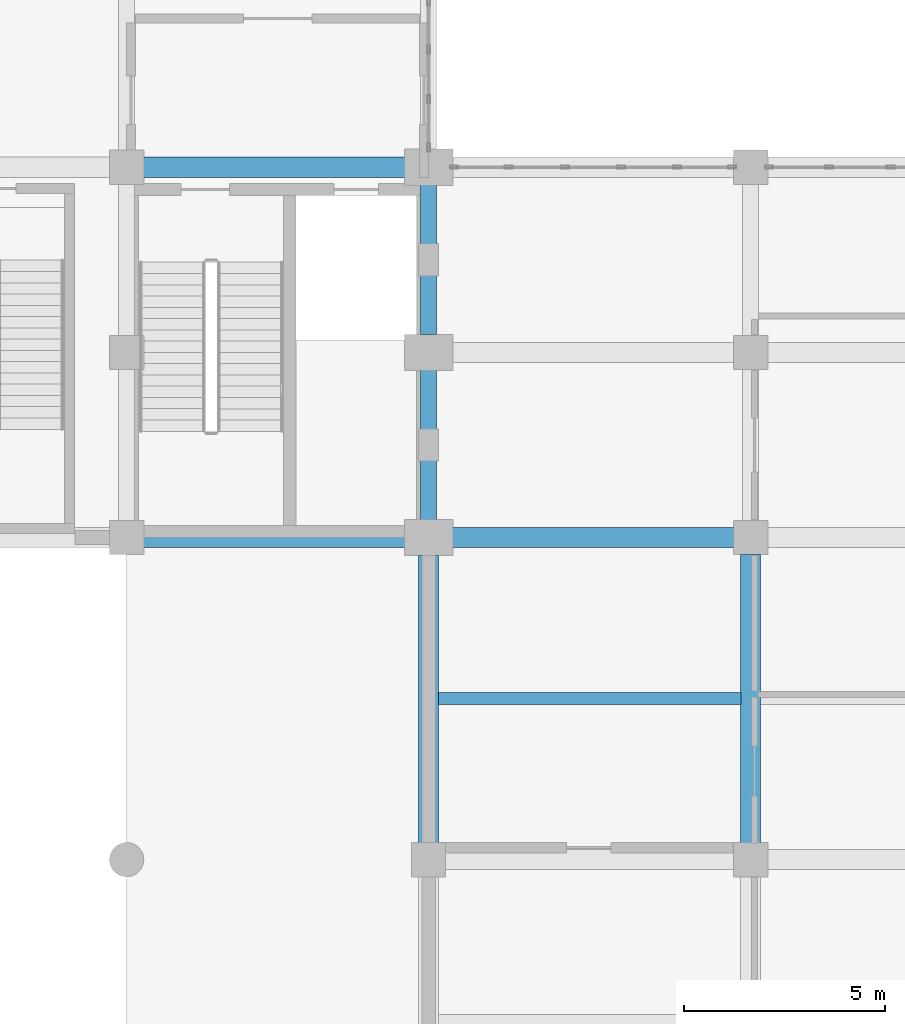
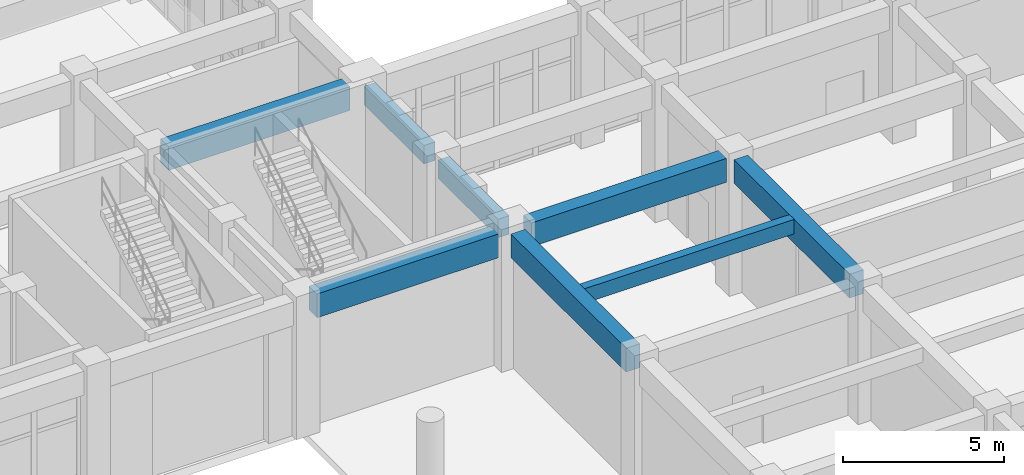
# One storey, part 31 of 84: 8 beams.
"""IFC4 building model written with IfcOpenShell, lengths in metres."""

from ifc_helpers import new_model, si_unit, direction, frame, origin, origin_2d, place, context, subcontext, project, spatial, rectangle, extrude, material, material_profile, profile_set, type_object, element, save


model = new_model("IFC4")

# Units and contexts
model_context = context("Model", 3, precision=1e-05, world=origin(), true_north=direction((0.0, 1.0)))
body_context = subcontext(model_context, "Body", "Model", "MODEL_VIEW")
ifc_project = project(units=[si_unit("LENGTHUNIT", "METRE"), si_unit("AREAUNIT", "SQUARE_METRE"), si_unit("VOLUMEUNIT", "CUBIC_METRE"), si_unit("PLANEANGLEUNIT", "RADIAN"), si_unit("MASSUNIT", "GRAM", prefix="KILO")], contexts=[model_context])

# Site, building, storey
site_placement = place(None, origin())
site = spatial("IfcSite", under=ifc_project, at=site_placement, CompositionType="ELEMENT")
building_placement = place(site_placement, origin())
building = spatial("IfcBuilding", under=site, at=building_placement, Name="Muzn Square Opera House", CompositionType="ELEMENT")
storey_placement = place(building_placement, origin())
storey = spatial("IfcBuildingStorey", under=building, at=storey_placement, Name="L00", CompositionType="ELEMENT", Elevation=0.0)

# Beams
ifc_material = material(Name="Concrete C40/50", Category="concrete")
ifc_material_profile_1 = material_profile(ifc_material, rectangle(XDim=0.300048828125, YDim=0.550048828125, at=origin_2d()), Name="RCJ 300x550", Category="concrete")
ifc_profile_set_1 = profile_set([ifc_material_profile_1], Name="Concrete C40/50")
beam_type_1 = type_object("IfcBeamType", Name="Floor Joist 300x550", PredefinedType="JOIST", material=ifc_profile_set_1)
beam_1_placement = place(storey_placement, frame((133.241943359375, 18.0, 4.844970703125), z_axis=(1.0, 0.0, 0.0), x_axis=(0.0, 1.0, 0.0)))
element("IfcBeam", 1, at=beam_1_placement, inside=storey, type_object=beam_type_1, Name="Floor Joist BM-L00-BM-J550-1332_180_1408_180-1226", PredefinedType="JOIST", context=body_context, shape_type="SweptSolid", body=[
    extrude(rectangle(XDim=0.300048828125, YDim=0.550048828125, at=origin_2d()), origin(), (0.0, 0.0, 1.0), 7.51611328125),
])
ifc_material_profile_2 = material_profile(ifc_material, rectangle(XDim=0.39990234375, YDim=0.699951171875, at=origin_2d()), Name="RCB 400x700", Category="concrete")
ifc_profile_set_2 = profile_set([ifc_material_profile_2], Name="Concrete C40/50")
beam_type_2 = type_object("IfcBeamType", Name="Primary Girder 400x700", PredefinedType="BEAM", material=ifc_profile_set_2)
for number, where, z_axis, x_axis, name in (
    (2, (133.0, 22.44189453125, 4.77001953125), (0.0, 1.0, 0.0), (-1.0, 0.0, 0.0), "Primary Girder BM-L00-BM-PG700-1330_224_1330_262-1104"),
    (3, (133.0, 27.0419921875, 4.77001953125), (0.0, 1.0, 0.0), (-1.0, 0.0, 0.0), "Primary Girder BM-L00-BM-PG700-1330_270_1330_308-1105"),
):
    element("IfcBeam", number, at=place(storey_placement, frame(where, z_axis=z_axis, x_axis=x_axis)), inside=storey, type_object=beam_type_2, Name=name, PredefinedType="BEAM", context=body_context, shape_type="SweptSolid", body=[
        extrude(rectangle(XDim=0.39990234375, YDim=0.699951171875, at=origin_2d()), origin(), (0.0, 0.0, 1.0), 3.716064453125),
    ])
ifc_material_profile_3 = material_profile(ifc_material, rectangle(XDim=0.5, YDim=0.89990234375, at=origin_2d()), Name="RCB 500x900", Category="concrete")
ifc_profile_set_3 = profile_set([ifc_material_profile_3], Name="Concrete C40/50")
beam_type_3 = type_object("IfcBeamType", Name="Primary Girder 500x900", PredefinedType="BEAM", material=ifc_profile_set_3)
beam_2_placement = place(storey_placement, frame((125.9169921875, 22.0, 4.669921875), z_axis=(1.0, 0.0, 0.0), x_axis=(0.0, 1.0, 0.0)))
element("IfcBeam", 4, at=beam_2_placement, inside=storey, type_object=beam_type_3, Name="Primary Girder BM-L00-BM-PG900-1259_220_1324_220-770", PredefinedType="BEAM", context=body_context, shape_type="SweptSolid", body=[
    extrude(rectangle(XDim=0.5, YDim=0.89990234375, at=origin_2d()), origin(), (0.0, 0.0, 1.0), 6.490966796875),
])
beam_3_placement = place(storey_placement, frame((133.592041015625, 22.0, 4.669921875), z_axis=(1.0, 0.0, 0.0), x_axis=(0.0, 1.0, 0.0)))
element("IfcBeam", 5, at=beam_3_placement, inside=storey, type_object=beam_type_3, Name="Primary Girder BM-L00-BM-PG900-1336_220_1406_220-771", PredefinedType="BEAM", context=body_context, shape_type="SweptSolid", body=[
    extrude(rectangle(XDim=0.5, YDim=0.89990234375, at=origin_2d()), origin(), (0.0, 0.0, 1.0), 6.990966796875),
])
beam_4_placement = place(storey_placement, frame((125.9169921875, 31.199951171875, 4.669921875), z_axis=(1.0, 0.0, 0.0), x_axis=(0.0, 1.0, 0.0)))
element("IfcBeam", 6, at=beam_4_placement, inside=storey, type_object=beam_type_3, Name="Primary Girder BM-L00-BM-PG900-1259_312_1324_312-802", PredefinedType="BEAM", context=body_context, shape_type="SweptSolid", body=[
    extrude(rectangle(XDim=0.5, YDim=0.89990234375, at=origin_2d()), origin(), (0.0, 0.0, 1.0), 6.490966796875),
])
beam_5_placement = place(storey_placement, frame((133.0, 14.4169921875, 4.669921875), z_axis=(0.0, 1.0, 0.0), x_axis=(-1.0, 0.0, 0.0)))
element("IfcBeam", 7, at=beam_5_placement, inside=storey, type_object=beam_type_3, Name="Primary Girder BM-L00-BM-PG900-1330_144_1330_216-1103", PredefinedType="BEAM", context=body_context, shape_type="SweptSolid", body=[
    extrude(rectangle(XDim=0.5, YDim=0.89990234375, at=origin_2d()), origin(), (0.0, 0.0, 1.0), 7.14111328125),
])
beam_6_placement = place(storey_placement, frame((141.0, 14.4169921875, 4.669921875), z_axis=(0.0, 1.0, 0.0), x_axis=(-1.0, 0.0, 0.0)))
element("IfcBeam", 8, at=beam_6_placement, inside=storey, type_object=beam_type_3, Name="Primary Girder BM-L00-BM-PG900-1410_144_1410_216-1120", PredefinedType="BEAM", context=body_context, shape_type="SweptSolid", body=[
    extrude(rectangle(XDim=0.5, YDim=0.89990234375, at=origin_2d()), origin(), (0.0, 0.0, 1.0), 7.166015625),
])

save(model, "model.ifc")
